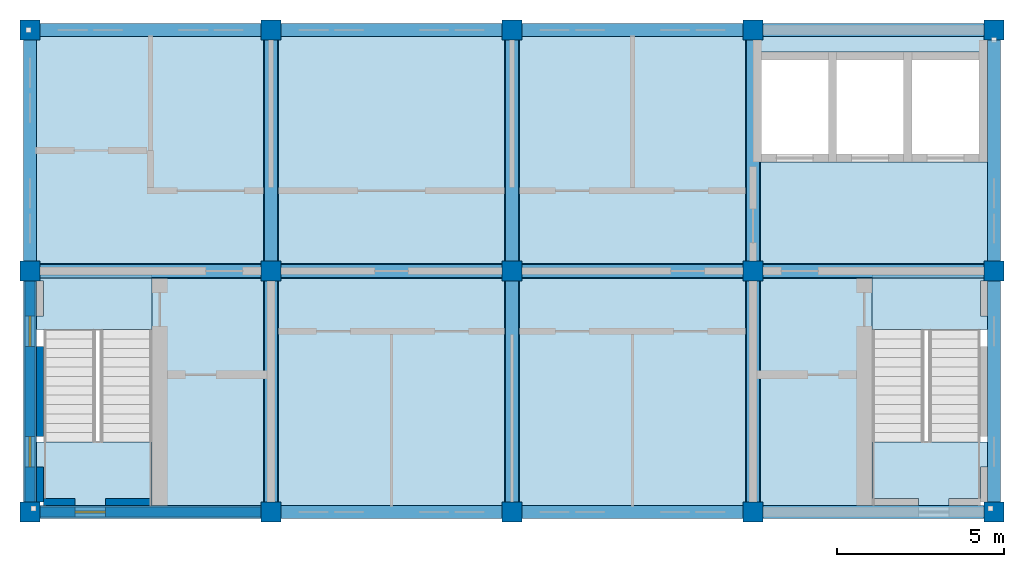
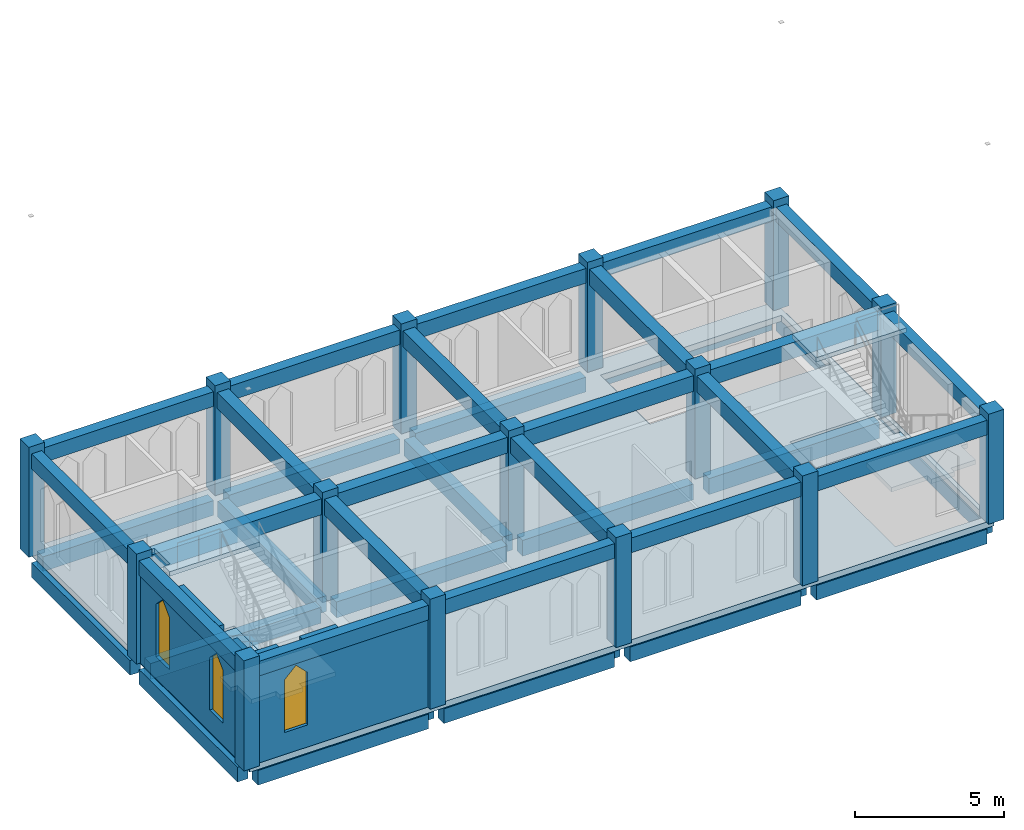
# One storey, part 1 of 6: 44 beams, 15 columns, 7 slabs, 6 walls, 3 windows, 3 openings, 2 elements without a shape of their own.
"""IFC4 building model written with IfcOpenShell, lengths in metres."""

from ifc_helpers import new_model, si_unit, direction, frame, frame_2d, origin, origin_2d, place, context, subcontext, project, spatial, polyline, rectangle, outline, extrude, material, layer, layer_set, material_profile, profile_set, type_object, element, fill, aggregate, save


model = new_model("IFC4")

# Units and contexts
model_context = context("Model", 3, precision=1e-05, world=origin(), true_north=direction((0.0, 1.0)))
body_context = subcontext(model_context, "Body", "Model", "MODEL_VIEW")
ifc_project = project(units=[si_unit("LENGTHUNIT", "METRE"), si_unit("AREAUNIT", "SQUARE_METRE"), si_unit("VOLUMEUNIT", "CUBIC_METRE"), si_unit("PLANEANGLEUNIT", "RADIAN"), si_unit("MASSUNIT", "GRAM", prefix="KILO")], contexts=[model_context])

# Site, building, storey
site_placement = place(None, origin())
site = spatial("IfcSite", under=ifc_project, at=site_placement, CompositionType="ELEMENT")
building_placement = place(site_placement, origin())
building = spatial("IfcBuilding", under=site, at=building_placement, Name="Silangan Lancet Faculty of Sciences", CompositionType="ELEMENT")
storey_placement = place(building_placement, frame((0.0, 0.0, 76.800048828125)))
storey = spatial("IfcBuildingStorey", under=building, at=storey_placement, Name="L16", CompositionType="ELEMENT", Elevation=76.800048828125)

# Columns
ifc_material_1 = material(Name="Concrete C40/50", Category="concrete")
ifc_material_profile_1 = material_profile(ifc_material_1, rectangle(XDim=0.60009765625, YDim=0.60009765625, at=origin_2d()), Name="RC 600x600")
ifc_profile_set_1 = profile_set([ifc_material_profile_1], Name="Concrete C40/50")
column_type = type_object("IfcColumnType", Name="COLUMN RC 600x600", PredefinedType="COLUMN", material=ifc_profile_set_1)
for number, where, z_axis, x_axis, name in (
    (1, (0.0, 0.0, 0.0), (0.0, 0.0, 1.0), (1.0, 0.0, 0.0), "COL-L16-1A"),
    (2, (0.0, 7.199951171875, 0.0), (0.0, 0.0, 1.0), (1.0, 0.0, 0.0), "COL-L16-1B"),
    (3, (0.0, 14.39990234375, 0.0), (0.0, 0.0, 1.0), (1.0, 0.0, 0.0), "COL-L16-1C"),
    (4, (7.199951171875, 0.0, 0.0), (0.0, 0.0, 1.0), (1.0, 0.0, 0.0), "COL-L16-2A"),
    (5, (7.199951171875, 7.199951171875, 0.0), (0.0, 0.0, 1.0), (1.0, 0.0, 0.0), "COL-L16-2B"),
    (6, (7.199951171875, 14.39990234375, 0.0), (0.0, 0.0, 1.0), (1.0, 0.0, 0.0), "COL-L16-2C"),
    (7, (14.39990234375, 0.0, 0.0), (0.0, 0.0, 1.0), (1.0, 0.0, 0.0), "COL-L16-3A"),
    (8, (14.39990234375, 7.199951171875, 0.0), (0.0, 0.0, 1.0), (1.0, 0.0, 0.0), "COL-L16-3B"),
    (9, (14.39990234375, 14.39990234375, 0.0), (0.0, 0.0, 1.0), (1.0, 0.0, 0.0), "COL-L16-3C"),
    (10, (21.60009765625, 0.0, 0.0), (0.0, 0.0, 1.0), (1.0, 0.0, 0.0), "COL-L16-4A"),
    (11, (21.60009765625, 7.199951171875, 0.0), (0.0, 0.0, 1.0), (1.0, 0.0, 0.0), "COL-L16-4B"),
    (12, (21.60009765625, 14.39990234375, 0.0), (0.0, 0.0, 1.0), (1.0, 0.0, 0.0), "COL-L16-4C"),
    (13, (28.800048828125, 0.0, 0.0), (0.0, 0.0, 1.0), (1.0, 0.0, 0.0), "COL-L16-5A"),
    (14, (28.800048828125, 7.199951171875, 0.0), (0.0, 0.0, 1.0), (1.0, 0.0, 0.0), "COL-L16-5B"),
    (15, (28.800048828125, 14.39990234375, 0.0), (0.0, 0.0, 1.0), (1.0, 0.0, 0.0), "COL-L16-5C"),
):
    element("IfcColumn", number, at=place(storey_placement, frame(where, z_axis=z_axis, x_axis=x_axis)), inside=storey, type_object=column_type, Name=name, PredefinedType="COLUMN", context=body_context, shape_type="SweptSolid", body=[
        extrude(rectangle(XDim=0.60009765625, YDim=0.60009765625, at=origin_2d()), origin(), (0.0, 0.0, 1.0), 4.5),
    ])

# Beams
ifc_material_2 = material(Name="Concrete C40/50", Category="concrete")
ifc_material_profile_2 = material_profile(ifc_material_2, rectangle(XDim=0.39990234375, YDim=0.60009765625, at=origin_2d()), Name="RC 400x600")
ifc_profile_set_2 = profile_set([ifc_material_profile_2], Name="Concrete C40/50")
beam_type_1 = type_object("IfcBeamType", Name="BEAM RC 400x600", PredefinedType="BEAM", material=ifc_profile_set_2)
beam_1_placement = place(storey_placement, frame((0.300048828125, 0.0, -0.550048828125), z_axis=(1.0, 0.0, 0.0), x_axis=(0.0, 1.0, 0.0)))
element("IfcBeam", 16, at=beam_1_placement, inside=storey, type_object=beam_type_1, Name="BM-L16-1A-2A", PredefinedType="BEAM", context=body_context, shape_type="SweptSolid", body=[
    extrude(rectangle(XDim=0.39990234375, YDim=0.60009765625, at=origin_2d()), origin(), (0.0, 0.0, 1.0), 6.599853515625),
])
for number, where, z_axis, x_axis, name in (
    (17, (7.5, 0.0, -0.550048828125), (1.0, 0.0, 0.0), (0.0, 1.0, 0.0), "BM-L16-2A-3A"),
    (18, (14.699951171875, 0.0, -0.550048828125), (1.0, 0.0, 0.0), (0.0, 1.0, 0.0), "BM-L16-3A-4A"),
    (19, (21.89990234375, 0.0, -0.550048828125), (1.0, 0.0, 0.0), (0.0, 1.0, 0.0), "BM-L16-4A-5A"),
):
    element("IfcBeam", number, at=place(storey_placement, frame(where, z_axis=z_axis, x_axis=x_axis)), inside=storey, type_object=beam_type_1, Name=name, PredefinedType="BEAM", context=body_context, shape_type="SweptSolid", body=[
        extrude(rectangle(XDim=0.39990234375, YDim=0.60009765625, at=origin_2d()), origin(), (0.0, 0.0, 1.0), 6.60009765625),
    ])
beam_2_placement = place(storey_placement, frame((0.300048828125, 14.39990234375, -0.550048828125), z_axis=(1.0, 0.0, 0.0), x_axis=(0.0, 1.0, 0.0)))
element("IfcBeam", 20, at=beam_2_placement, inside=storey, type_object=beam_type_1, Name="BM-L16-1C-2C", PredefinedType="BEAM", context=body_context, shape_type="SweptSolid", body=[
    extrude(rectangle(XDim=0.39990234375, YDim=0.60009765625, at=origin_2d()), origin(), (0.0, 0.0, 1.0), 6.599853515625),
])
for number, where, z_axis, x_axis, name in (
    (21, (7.5, 14.39990234375, -0.550048828125), (1.0, 0.0, 0.0), (0.0, 1.0, 0.0), "BM-L16-2C-3C"),
    (22, (14.699951171875, 14.39990234375, -0.550048828125), (1.0, 0.0, 0.0), (0.0, 1.0, 0.0), "BM-L16-3C-4C"),
    (23, (21.89990234375, 14.39990234375, -0.550048828125), (1.0, 0.0, 0.0), (0.0, 1.0, 0.0), "BM-L16-4C-5C"),
):
    element("IfcBeam", number, at=place(storey_placement, frame(where, z_axis=z_axis, x_axis=x_axis)), inside=storey, type_object=beam_type_1, Name=name, PredefinedType="BEAM", context=body_context, shape_type="SweptSolid", body=[
        extrude(rectangle(XDim=0.39990234375, YDim=0.60009765625, at=origin_2d()), origin(), (0.0, 0.0, 1.0), 6.60009765625),
    ])
beam_3_placement = place(storey_placement, frame((0.0, 0.300048828125, -0.550048828125), z_axis=(0.0, 1.0, 0.0), x_axis=(-1.0, 0.0, 0.0)))
element("IfcBeam", 24, at=beam_3_placement, inside=storey, type_object=beam_type_1, Name="BM-L16-1A-1B", PredefinedType="BEAM", context=body_context, shape_type="SweptSolid", body=[
    extrude(rectangle(XDim=0.39990234375, YDim=0.60009765625, at=origin_2d()), origin(), (0.0, 0.0, 1.0), 6.599853515625),
])
beam_4_placement = place(storey_placement, frame((0.0, 7.5, -0.550048828125), z_axis=(0.0, 1.0, 0.0), x_axis=(-1.0, 0.0, 0.0)))
element("IfcBeam", 25, at=beam_4_placement, inside=storey, type_object=beam_type_1, Name="BM-L16-1B-1C", PredefinedType="BEAM", context=body_context, shape_type="SweptSolid", body=[
    extrude(rectangle(XDim=0.39990234375, YDim=0.60009765625, at=origin_2d()), origin(), (0.0, 0.0, 1.0), 6.60009765625),
])
beam_5_placement = place(storey_placement, frame((28.800048828125, 0.300048828125, -0.550048828125), z_axis=(0.0, 1.0, 0.0), x_axis=(-1.0, 0.0, 0.0)))
element("IfcBeam", 26, at=beam_5_placement, inside=storey, type_object=beam_type_1, Name="BM-L16-5A-5B", PredefinedType="BEAM", context=body_context, shape_type="SweptSolid", body=[
    extrude(rectangle(XDim=0.39990234375, YDim=0.60009765625, at=origin_2d()), origin(), (0.0, 0.0, 1.0), 6.599853515625),
])
beam_6_placement = place(storey_placement, frame((28.800048828125, 7.5, -0.550048828125), z_axis=(0.0, 1.0, 0.0), x_axis=(-1.0, 0.0, 0.0)))
element("IfcBeam", 27, at=beam_6_placement, inside=storey, type_object=beam_type_1, Name="BM-L16-5B-5C", PredefinedType="BEAM", context=body_context, shape_type="SweptSolid", body=[
    extrude(rectangle(XDim=0.39990234375, YDim=0.60009765625, at=origin_2d()), origin(), (0.0, 0.0, 1.0), 6.60009765625),
])
beam_7_placement = place(storey_placement, frame((0.300048828125, 0.0, 3.89990234375), z_axis=(1.0, 0.0, 0.0), x_axis=(0.0, 1.0, 0.0)))
element("IfcBeam", 28, at=beam_7_placement, inside=storey, type_object=beam_type_1, Name="RB-L16-1A-2A", PredefinedType="BEAM", context=body_context, shape_type="SweptSolid", body=[
    extrude(rectangle(XDim=0.39990234375, YDim=0.60009765625, at=origin_2d()), origin(), (0.0, 0.0, 1.0), 6.599853515625),
])
for number, where, z_axis, x_axis, name in (
    (29, (7.5, 0.0, 3.89990234375), (1.0, 0.0, 0.0), (0.0, 1.0, 0.0), "RB-L16-2A-3A"),
    (30, (14.699951171875, 0.0, 3.89990234375), (1.0, 0.0, 0.0), (0.0, 1.0, 0.0), "RB-L16-3A-4A"),
    (31, (21.89990234375, 0.0, 3.89990234375), (1.0, 0.0, 0.0), (0.0, 1.0, 0.0), "RB-L16-4A-5A"),
):
    element("IfcBeam", number, at=place(storey_placement, frame(where, z_axis=z_axis, x_axis=x_axis)), inside=storey, type_object=beam_type_1, Name=name, PredefinedType="BEAM", context=body_context, shape_type="SweptSolid", body=[
        extrude(rectangle(XDim=0.39990234375, YDim=0.60009765625, at=origin_2d()), origin(), (0.0, 0.0, 1.0), 6.60009765625),
    ])
beam_8_placement = place(storey_placement, frame((0.300048828125, 14.39990234375, 3.89990234375), z_axis=(1.0, 0.0, 0.0), x_axis=(0.0, 1.0, 0.0)))
element("IfcBeam", 32, at=beam_8_placement, inside=storey, type_object=beam_type_1, Name="RB-L16-1C-2C", PredefinedType="BEAM", context=body_context, shape_type="SweptSolid", body=[
    extrude(rectangle(XDim=0.39990234375, YDim=0.60009765625, at=origin_2d()), origin(), (0.0, 0.0, 1.0), 6.599853515625),
])
for number, where, z_axis, x_axis, name in (
    (33, (7.5, 14.39990234375, 3.89990234375), (1.0, 0.0, 0.0), (0.0, 1.0, 0.0), "RB-L16-2C-3C"),
    (34, (14.699951171875, 14.39990234375, 3.89990234375), (1.0, 0.0, 0.0), (0.0, 1.0, 0.0), "RB-L16-3C-4C"),
    (35, (21.89990234375, 14.39990234375, 3.89990234375), (1.0, 0.0, 0.0), (0.0, 1.0, 0.0), "RB-L16-4C-5C"),
):
    element("IfcBeam", number, at=place(storey_placement, frame(where, z_axis=z_axis, x_axis=x_axis)), inside=storey, type_object=beam_type_1, Name=name, PredefinedType="BEAM", context=body_context, shape_type="SweptSolid", body=[
        extrude(rectangle(XDim=0.39990234375, YDim=0.60009765625, at=origin_2d()), origin(), (0.0, 0.0, 1.0), 6.60009765625),
    ])
beam_9_placement = place(storey_placement, frame((0.0, 0.300048828125, 3.89990234375), z_axis=(0.0, 1.0, 0.0), x_axis=(-1.0, 0.0, 0.0)))
element("IfcBeam", 36, at=beam_9_placement, inside=storey, type_object=beam_type_1, Name="RB-L16-1A-1B", PredefinedType="BEAM", context=body_context, shape_type="SweptSolid", body=[
    extrude(rectangle(XDim=0.39990234375, YDim=0.60009765625, at=origin_2d()), origin(), (0.0, 0.0, 1.0), 6.599853515625),
])
beam_10_placement = place(storey_placement, frame((0.0, 7.5, 3.89990234375), z_axis=(0.0, 1.0, 0.0), x_axis=(-1.0, 0.0, 0.0)))
element("IfcBeam", 37, at=beam_10_placement, inside=storey, type_object=beam_type_1, Name="RB-L16-1B-1C", PredefinedType="BEAM", context=body_context, shape_type="SweptSolid", body=[
    extrude(rectangle(XDim=0.39990234375, YDim=0.60009765625, at=origin_2d()), origin(), (0.0, 0.0, 1.0), 6.60009765625),
])
beam_11_placement = place(storey_placement, frame((28.800048828125, 0.300048828125, 3.89990234375), z_axis=(0.0, 1.0, 0.0), x_axis=(-1.0, 0.0, 0.0)))
element("IfcBeam", 38, at=beam_11_placement, inside=storey, type_object=beam_type_1, Name="RB-L16-5A-5B", PredefinedType="BEAM", context=body_context, shape_type="SweptSolid", body=[
    extrude(rectangle(XDim=0.39990234375, YDim=0.60009765625, at=origin_2d()), origin(), (0.0, 0.0, 1.0), 6.599853515625),
])
beam_12_placement = place(storey_placement, frame((28.800048828125, 7.5, 3.89990234375), z_axis=(0.0, 1.0, 0.0), x_axis=(-1.0, 0.0, 0.0)))
element("IfcBeam", 39, at=beam_12_placement, inside=storey, type_object=beam_type_1, Name="RB-L16-5B-5C", PredefinedType="BEAM", context=body_context, shape_type="SweptSolid", body=[
    extrude(rectangle(XDim=0.39990234375, YDim=0.60009765625, at=origin_2d()), origin(), (0.0, 0.0, 1.0), 6.60009765625),
])
ifc_material_3 = material(Name="Concrete C40/50", Category="concrete")
ifc_material_profile_3 = material_profile(ifc_material_3, rectangle(XDim=0.39990234375, YDim=0.64990234375, at=origin_2d()), Name="RC 400x650")
ifc_profile_set_3 = profile_set([ifc_material_profile_3], Name="Concrete C40/50")
beam_type_2 = type_object("IfcBeamType", Name="BEAM RC 400x650", PredefinedType="BEAM", material=ifc_profile_set_3)
beam_13_placement = place(storey_placement, frame((0.300048828125, 7.199951171875, -0.574951171875), z_axis=(1.0, 0.0, 0.0), x_axis=(0.0, 1.0, 0.0)))
element("IfcBeam", 40, at=beam_13_placement, inside=storey, type_object=beam_type_2, Name="BM-L16-1B-2B", PredefinedType="BEAM", context=body_context, shape_type="SweptSolid", body=[
    extrude(rectangle(XDim=0.39990234375, YDim=0.64990234375, at=origin_2d()), origin(), (0.0, 0.0, 1.0), 6.599853515625),
])
for number, where, z_axis, x_axis, name in (
    (41, (7.5, 7.199951171875, -0.574951171875), (1.0, 0.0, 0.0), (0.0, 1.0, 0.0), "BM-L16-2B-3B"),
    (42, (14.699951171875, 7.199951171875, -0.574951171875), (1.0, 0.0, 0.0), (0.0, 1.0, 0.0), "BM-L16-3B-4B"),
    (43, (21.89990234375, 7.199951171875, -0.574951171875), (1.0, 0.0, 0.0), (0.0, 1.0, 0.0), "BM-L16-4B-5B"),
):
    element("IfcBeam", number, at=place(storey_placement, frame(where, z_axis=z_axis, x_axis=x_axis)), inside=storey, type_object=beam_type_2, Name=name, PredefinedType="BEAM", context=body_context, shape_type="SweptSolid", body=[
        extrude(rectangle(XDim=0.39990234375, YDim=0.64990234375, at=origin_2d()), origin(), (0.0, 0.0, 1.0), 6.60009765625),
    ])
beam_14_placement = place(storey_placement, frame((7.199951171875, 0.300048828125, -0.574951171875), z_axis=(0.0, 1.0, 0.0), x_axis=(-1.0, 0.0, 0.0)))
element("IfcBeam", 44, at=beam_14_placement, inside=storey, type_object=beam_type_2, Name="BM-L16-2A-2B", PredefinedType="BEAM", context=body_context, shape_type="SweptSolid", body=[
    extrude(rectangle(XDim=0.39990234375, YDim=0.64990234375, at=origin_2d()), origin(), (0.0, 0.0, 1.0), 6.599853515625),
])
beam_15_placement = place(storey_placement, frame((7.199951171875, 7.5, -0.574951171875), z_axis=(0.0, 1.0, 0.0), x_axis=(-1.0, 0.0, 0.0)))
element("IfcBeam", 45, at=beam_15_placement, inside=storey, type_object=beam_type_2, Name="BM-L16-2B-2C", PredefinedType="BEAM", context=body_context, shape_type="SweptSolid", body=[
    extrude(rectangle(XDim=0.39990234375, YDim=0.64990234375, at=origin_2d()), origin(), (0.0, 0.0, 1.0), 6.60009765625),
])
beam_16_placement = place(storey_placement, frame((14.39990234375, 0.300048828125, -0.574951171875), z_axis=(0.0, 1.0, 0.0), x_axis=(-1.0, 0.0, 0.0)))
element("IfcBeam", 46, at=beam_16_placement, inside=storey, type_object=beam_type_2, Name="BM-L16-3A-3B", PredefinedType="BEAM", context=body_context, shape_type="SweptSolid", body=[
    extrude(rectangle(XDim=0.39990234375, YDim=0.64990234375, at=origin_2d()), origin(), (0.0, 0.0, 1.0), 6.599853515625),
])
beam_17_placement = place(storey_placement, frame((14.39990234375, 7.5, -0.574951171875), z_axis=(0.0, 1.0, 0.0), x_axis=(-1.0, 0.0, 0.0)))
element("IfcBeam", 47, at=beam_17_placement, inside=storey, type_object=beam_type_2, Name="BM-L16-3B-3C", PredefinedType="BEAM", context=body_context, shape_type="SweptSolid", body=[
    extrude(rectangle(XDim=0.39990234375, YDim=0.64990234375, at=origin_2d()), origin(), (0.0, 0.0, 1.0), 6.60009765625),
])
beam_18_placement = place(storey_placement, frame((21.60009765625, 0.300048828125, -0.574951171875), z_axis=(0.0, 1.0, 0.0), x_axis=(-1.0, 0.0, 0.0)))
element("IfcBeam", 48, at=beam_18_placement, inside=storey, type_object=beam_type_2, Name="BM-L16-4A-4B", PredefinedType="BEAM", context=body_context, shape_type="SweptSolid", body=[
    extrude(rectangle(XDim=0.39990234375, YDim=0.64990234375, at=origin_2d()), origin(), (0.0, 0.0, 1.0), 6.599853515625),
])
beam_19_placement = place(storey_placement, frame((21.60009765625, 7.5, -0.574951171875), z_axis=(0.0, 1.0, 0.0), x_axis=(-1.0, 0.0, 0.0)))
element("IfcBeam", 49, at=beam_19_placement, inside=storey, type_object=beam_type_2, Name="BM-L16-4B-4C", PredefinedType="BEAM", context=body_context, shape_type="SweptSolid", body=[
    extrude(rectangle(XDim=0.39990234375, YDim=0.64990234375, at=origin_2d()), origin(), (0.0, 0.0, 1.0), 6.60009765625),
])
ifc_material_4 = material(Name="Concrete C40/50", Category="concrete")
ifc_material_profile_4 = material_profile(ifc_material_4, rectangle(XDim=0.449951171875, YDim=0.64990234375, at=origin_2d()), Name="RC 450x650")
ifc_profile_set_4 = profile_set([ifc_material_profile_4], Name="Concrete C40/50")
beam_type_3 = type_object("IfcBeamType", Name="BEAM RC 450x650", PredefinedType="BEAM", material=ifc_profile_set_4)
beam_20_placement = place(storey_placement, frame((0.300048828125, 7.199951171875, 3.875), z_axis=(1.0, 0.0, 0.0), x_axis=(0.0, 1.0, 0.0)))
element("IfcBeam", 50, at=beam_20_placement, inside=storey, type_object=beam_type_3, Name="RB-L16-1B-2B", PredefinedType="BEAM", context=body_context, shape_type="SweptSolid", body=[
    extrude(rectangle(XDim=0.449951171875, YDim=0.64990234375, at=origin_2d()), origin(), (0.0, 0.0, 1.0), 6.599853515625),
])
for number, where, z_axis, x_axis, name in (
    (51, (7.5, 7.199951171875, 3.875), (1.0, 0.0, 0.0), (0.0, 1.0, 0.0), "RB-L16-2B-3B"),
    (52, (14.699951171875, 7.199951171875, 3.875), (1.0, 0.0, 0.0), (0.0, 1.0, 0.0), "RB-L16-3B-4B"),
    (53, (21.89990234375, 7.199951171875, 3.875), (1.0, 0.0, 0.0), (0.0, 1.0, 0.0), "RB-L16-4B-5B"),
):
    element("IfcBeam", number, at=place(storey_placement, frame(where, z_axis=z_axis, x_axis=x_axis)), inside=storey, type_object=beam_type_3, Name=name, PredefinedType="BEAM", context=body_context, shape_type="SweptSolid", body=[
        extrude(rectangle(XDim=0.449951171875, YDim=0.64990234375, at=origin_2d()), origin(), (0.0, 0.0, 1.0), 6.60009765625),
    ])
beam_21_placement = place(storey_placement, frame((7.199951171875, 0.300048828125, 3.875), z_axis=(0.0, 1.0, 0.0), x_axis=(-1.0, 0.0, 0.0)))
element("IfcBeam", 54, at=beam_21_placement, inside=storey, type_object=beam_type_3, Name="RB-L16-2A-2B", PredefinedType="BEAM", context=body_context, shape_type="SweptSolid", body=[
    extrude(rectangle(XDim=0.449951171875, YDim=0.64990234375, at=origin_2d()), origin(), (0.0, 0.0, 1.0), 6.599853515625),
])
beam_22_placement = place(storey_placement, frame((7.199951171875, 7.5, 3.875), z_axis=(0.0, 1.0, 0.0), x_axis=(-1.0, 0.0, 0.0)))
element("IfcBeam", 55, at=beam_22_placement, inside=storey, type_object=beam_type_3, Name="RB-L16-2B-2C", PredefinedType="BEAM", context=body_context, shape_type="SweptSolid", body=[
    extrude(rectangle(XDim=0.449951171875, YDim=0.64990234375, at=origin_2d()), origin(), (0.0, 0.0, 1.0), 6.60009765625),
])
beam_23_placement = place(storey_placement, frame((14.39990234375, 0.300048828125, 3.875), z_axis=(0.0, 1.0, 0.0), x_axis=(-1.0, 0.0, 0.0)))
element("IfcBeam", 56, at=beam_23_placement, inside=storey, type_object=beam_type_3, Name="RB-L16-3A-3B", PredefinedType="BEAM", context=body_context, shape_type="SweptSolid", body=[
    extrude(rectangle(XDim=0.449951171875, YDim=0.64990234375, at=origin_2d()), origin(), (0.0, 0.0, 1.0), 6.599853515625),
])
beam_24_placement = place(storey_placement, frame((14.39990234375, 7.5, 3.875), z_axis=(0.0, 1.0, 0.0), x_axis=(-1.0, 0.0, 0.0)))
element("IfcBeam", 57, at=beam_24_placement, inside=storey, type_object=beam_type_3, Name="RB-L16-3B-3C", PredefinedType="BEAM", context=body_context, shape_type="SweptSolid", body=[
    extrude(rectangle(XDim=0.449951171875, YDim=0.64990234375, at=origin_2d()), origin(), (0.0, 0.0, 1.0), 6.60009765625),
])
beam_25_placement = place(storey_placement, frame((21.60009765625, 0.300048828125, 3.875), z_axis=(0.0, 1.0, 0.0), x_axis=(-1.0, 0.0, 0.0)))
element("IfcBeam", 58, at=beam_25_placement, inside=storey, type_object=beam_type_3, Name="RB-L16-4A-4B", PredefinedType="BEAM", context=body_context, shape_type="SweptSolid", body=[
    extrude(rectangle(XDim=0.449951171875, YDim=0.64990234375, at=origin_2d()), origin(), (0.0, 0.0, 1.0), 6.599853515625),
])
beam_26_placement = place(storey_placement, frame((21.60009765625, 7.5, 3.875), z_axis=(0.0, 1.0, 0.0), x_axis=(-1.0, 0.0, 0.0)))
element("IfcBeam", 59, at=beam_26_placement, inside=storey, type_object=beam_type_3, Name="RB-L16-4B-4C", PredefinedType="BEAM", context=body_context, shape_type="SweptSolid", body=[
    extrude(rectangle(XDim=0.449951171875, YDim=0.64990234375, at=origin_2d()), origin(), (0.0, 0.0, 1.0), 6.60009765625),
])

# Slab
ifc_material_5 = material(Name="Concrete C35/45", Category="concrete")
ifc_layer_1 = layer(ifc_material_5, 0.25)
ifc_layer_set_1 = layer_set([ifc_layer_1], Name="Concrete C35/45")
slab_type_1 = type_object("IfcSlabType", Name="SLAB FLOOR 250", PredefinedType="FLOOR", material=ifc_layer_set_1)
slab_1_placement = place(storey_placement, frame((0.0, 0.0, -0.25)))
element("IfcSlab", 60, at=slab_1_placement, inside=storey, type_object=slab_type_1, Name="SLAB-L16-ST", PredefinedType="FLOOR", context=body_context, shape_type="SweptSolid", body=[
    extrude(outline(polyline([(0.0, 14.550048828125), (0.0, -0.14990234375), (28.800048828125, -0.14990234375), (28.800048828125, 14.550048828125), (0.0, 14.550048828125)]), holes=[polyline([(0.14990234375, 0.14990234375), (0.14990234375, 7.199951171875), (3.64990234375, 7.199951171875), (3.64990234375, 0.14990234375), (0.14990234375, 0.14990234375)]), polyline([(25.14990234375, 7.199951171875), (28.64990234375, 7.199951171875), (28.64990234375, 0.14990234375), (25.14990234375, 0.14990234375), (25.14990234375, 7.199951171875)]), polyline([(21.60009765625, 13.75), (28.60009765625, 13.75), (28.60009765625, 10.449951171875), (21.60009765625, 10.449951171875), (21.60009765625, 13.75)])]), origin(), (0.0, 0.0, 1.0), 0.25),
])

# Stair, slabs
ifc_material_6 = material(Name="Concrete C40/50", Category="concrete")
stair_type = type_object("IfcStairType", Name="TURRET STAIR 1550 TWO-FLIGHT", PredefinedType="HALF_TURN_STAIR", material=ifc_material_6)
stair_1_placement = place(storey_placement, origin())
stair_1 = element("IfcStair", 61, at=stair_1_placement, inside=storey, type_object=stair_type, Name="ST-A stair L16", PredefinedType="HALF_TURN_STAIR")
ifc_material_7 = material(Name="Concrete C40/50", Category="concrete")
ifc_layer_2 = layer(ifc_material_7, 0.179931640625)
ifc_layer_set_2 = layer_set([ifc_layer_2], Name="Concrete C40/50")
slab_type_2 = type_object("IfcSlabType", Name="TURRET STAIR LANDING RC 180", PredefinedType="LANDING", material=ifc_layer_set_2)
slab_2_placement = place(storey_placement, frame((0.0, 0.0, -0.179931640625)))
slab_2 = element("IfcSlab", 62, at=slab_2_placement, type_object=slab_type_2, Name="STR1 landing 1", PredefinedType="LANDING", context=body_context, shape_type="SweptSolid", body=[
    extrude(outline(polyline([(0.39990234375, 6.89990234375), (0.300048828125, 6.89990234375), (0.300048828125, 7.074951171875), (3.64990234375, 7.074951171875), (3.64990234375, 5.449951171875), (0.14990234375, 5.449951171875), (0.14990234375, 5.85009765625), (0.39990234375, 5.85009765625), (0.39990234375, 6.89990234375)])), origin(), (0.0, 0.0, 1.0), 0.179931640625),
])
slab_3_placement = place(storey_placement, frame((0.0, 0.0, 2.070068359375)))
slab_3 = element("IfcSlab", 63, at=slab_3_placement, type_object=slab_type_2, Name="STR1 landing 2", PredefinedType="LANDING", context=body_context, shape_type="SweptSolid", body=[
    extrude(outline(polyline([(0.14990234375, 1.35009765625), (0.14990234375, 2.090087890625), (3.64990234375, 2.090087890625), (3.64990234375, 0.39990234375), (2.25, 0.39990234375), (2.25, 0.14990234375), (1.35009765625, 0.14990234375), (1.35009765625, 0.39990234375), (0.39990234375, 0.39990234375), (0.39990234375, 1.35009765625), (0.14990234375, 1.35009765625)])), origin(), (0.0, 0.0, 1.0), 0.179931640625),
])
slab_4_placement = place(storey_placement, frame((0.0, 0.0, 4.320068359375)))
slab_4 = element("IfcSlab", 64, at=slab_4_placement, type_object=slab_type_2, Name="STR1 landing 3", PredefinedType="LANDING", context=body_context, shape_type="SweptSolid", body=[
    extrude(outline(polyline([(0.39990234375, 6.89990234375), (0.300048828125, 6.89990234375), (0.300048828125, 7.074951171875), (3.64990234375, 7.074951171875), (3.64990234375, 5.449951171875), (0.14990234375, 5.449951171875), (0.14990234375, 5.85009765625), (0.39990234375, 5.85009765625), (0.39990234375, 6.89990234375)])), origin(), (0.0, 0.0, 1.0), 0.179931640625),
])
aggregate(stair_1, [slab_2, slab_3, slab_4])

stair_2_placement = place(storey_placement, origin())
stair_2 = element("IfcStair", 65, at=stair_2_placement, inside=storey, type_object=stair_type, Name="ST-B stair L16", PredefinedType="HALF_TURN_STAIR")
slab_5_placement = place(storey_placement, frame((0.0, 0.0, -0.179931640625)))
slab_5 = element("IfcSlab", 66, at=slab_5_placement, type_object=slab_type_2, Name="STR2 landing 1", PredefinedType="LANDING", context=body_context, shape_type="SweptSolid", body=[
    extrude(outline(polyline([(28.39990234375, 5.85009765625), (28.64990234375, 5.85009765625), (28.64990234375, 5.449951171875), (25.14990234375, 5.449951171875), (25.14990234375, 7.074951171875), (28.5, 7.074951171875), (28.5, 6.89990234375), (28.39990234375, 6.89990234375), (28.39990234375, 5.85009765625)])), origin(), (0.0, 0.0, 1.0), 0.179931640625),
])
slab_6_placement = place(storey_placement, frame((0.0, 0.0, 2.070068359375)))
slab_6 = element("IfcSlab", 67, at=slab_6_placement, type_object=slab_type_2, Name="STR2 landing 2", PredefinedType="LANDING", context=body_context, shape_type="SweptSolid", body=[
    extrude(outline(polyline([(26.550048828125, 0.14990234375), (26.550048828125, 0.39990234375), (25.14990234375, 0.39990234375), (25.14990234375, 2.090087890625), (28.64990234375, 2.090087890625), (28.64990234375, 1.35009765625), (28.39990234375, 1.35009765625), (28.39990234375, 0.39990234375), (27.449951171875, 0.39990234375), (27.449951171875, 0.14990234375), (26.550048828125, 0.14990234375)])), origin(), (0.0, 0.0, 1.0), 0.179931640625),
])
slab_7_placement = place(storey_placement, frame((0.0, 0.0, 4.320068359375)))
slab_7 = element("IfcSlab", 68, at=slab_7_placement, type_object=slab_type_2, Name="STR2 landing 3", PredefinedType="LANDING", context=body_context, shape_type="SweptSolid", body=[
    extrude(outline(polyline([(28.39990234375, 5.85009765625), (28.64990234375, 5.85009765625), (28.64990234375, 5.449951171875), (25.14990234375, 5.449951171875), (25.14990234375, 7.074951171875), (28.5, 7.074951171875), (28.5, 6.89990234375), (28.39990234375, 6.89990234375), (28.39990234375, 5.85009765625)])), origin(), (0.0, 0.0, 1.0), 0.179931640625),
])
aggregate(stair_2, [slab_5, slab_6, slab_7])

# Wall, openings, windows
ifc_material_8 = material(Name="Concrete C40/50 precast", Category="concrete")
ifc_layer_3 = layer(ifc_material_8, 0.300048828125)
ifc_layer_set_3 = layer_set([ifc_layer_3], Name="Concrete C40/50 precast")
wall_type_1 = type_object("IfcWallType", Name="EW2 Turret enclosure wall", PredefinedType="STANDARD", material=ifc_layer_set_3)
wall_1_placement = place(storey_placement, frame((0.0, 0.300048828125, 0.0), z_axis=(0.0, 0.0, 1.0), x_axis=(0.0, 1.0, 0.0)))
wall_1 = element("IfcWall", 69, at=wall_1_placement, inside=storey, type_object=wall_type_1, Name="EW-L16-W-ST-U-00", PredefinedType="STANDARD", context=body_context, shape_type="SweptSolid", body=[
    extrude(rectangle(XDim=6.599853515625, YDim=0.300048828125, at=frame_2d((3.2998046875, 0.0))), origin(), (0.0, 0.0, 1.0), 3.599853515625),
])
opening_1_placement = place(wall_1_placement, frame((1.050048828125, 0.0, 0.89990234375)))
opening_1 = element("IfcOpeningElement", 70, at=opening_1_placement, cuts=wall_1, Name="Opening W25", PredefinedType="OPENING", context=body_context, shape_type="SweptSolid", body=[
    extrude(outline(polyline([(0.0, 0.0), (0.89990234375, 0.0), (0.89990234375, 2.150146484375), (0.449951171875, 2.60009765625), (0.0, 2.150146484375), (0.0, 0.0)])), frame((0.0, 0.159912109375, 0.0), z_axis=(0.0, -1.0, 0.0), x_axis=(1.0, 0.0, 0.0)), (0.0, 0.0, 1.0), 0.320068359375),
])
opening_2_placement = place(wall_1_placement, frame((4.64990234375, 0.0, 0.89990234375)))
opening_2 = element("IfcOpeningElement", 71, at=opening_2_placement, cuts=wall_1, Name="Opening W25", PredefinedType="OPENING", context=body_context, shape_type="SweptSolid", body=[
    extrude(outline(polyline([(0.0, 0.0), (0.89990234375, 0.0), (0.89990234375, 2.150146484375), (0.449951171875, 2.60009765625), (0.0, 2.150146484375), (0.0, 0.0)])), frame((0.0, 0.159912109375, 0.0), z_axis=(0.0, -1.0, 0.0), x_axis=(1.0, 0.0, 0.0)), (0.0, 0.0, 1.0), 0.320068359375),
])
ifc_material_9 = material(Name="Aluminium frame, laminated double glazing", Category="aluminium")
window_type = type_object("IfcWindowType", Name="W25 Lancet window 900 x 2600", PartitioningType="SINGLE_PANEL", PredefinedType="WINDOW", material=ifc_material_9)
window_1_placement = place(opening_1_placement, origin())
window_1 = element("IfcWindow", 72, at=window_1_placement, inside=storey, type_object=window_type, Name="WIN-L16-W-ST-U-00a", OverallHeight=2.60009765625, OverallWidth=0.89990234375, PartitioningType="SINGLE_PANEL", PredefinedType="WINDOW", context=body_context, shape_type="SweptSolid", body=[
    extrude(outline(polyline([(0.0, 0.0), (0.89990234375, 0.0), (0.89990234375, 2.150146484375), (0.449951171875, 2.60009765625), (0.0, 2.150146484375), (0.0, 0.0)])), frame((0.0, 0.030029296875, 0.0), z_axis=(0.0, -1.0, 0.0), x_axis=(1.0, 0.0, 0.0)), (0.0, 0.0, 1.0), 0.06005859375),
])
fill(opening_1, window_1)
window_2_placement = place(opening_2_placement, origin())
window_2 = element("IfcWindow", 73, at=window_2_placement, inside=storey, type_object=window_type, Name="WIN-L16-W-ST-U-00b", OverallHeight=2.60009765625, OverallWidth=0.89990234375, PartitioningType="SINGLE_PANEL", PredefinedType="WINDOW", context=body_context, shape_type="SweptSolid", body=[
    extrude(outline(polyline([(0.0, 0.0), (0.89990234375, 0.0), (0.89990234375, 2.150146484375), (0.449951171875, 2.60009765625), (0.0, 2.150146484375), (0.0, 0.0)])), frame((0.0, 0.030029296875, 0.0), z_axis=(0.0, -1.0, 0.0), x_axis=(1.0, 0.0, 0.0)), (0.0, 0.0, 1.0), 0.06005859375),
])
fill(opening_2, window_2)

# Wall, opening, window
wall_2_placement = place(storey_placement, frame((0.300048828125, 0.0, 0.0), z_axis=(0.0, 0.0, 1.0), x_axis=(1.0, 0.0, 0.0)))
wall_2 = element("IfcWall", 74, at=wall_2_placement, inside=storey, type_object=wall_type_1, Name="EW-L16-S-ST-00", PredefinedType="STANDARD", context=body_context, shape_type="SweptSolid", body=[
    extrude(rectangle(XDim=6.599853515625, YDim=0.300048828125, at=frame_2d((3.2998046875, 0.0))), origin(), (0.0, 0.0, 1.0), 3.599853515625),
])
opening_3_placement = place(wall_2_placement, frame((1.050048828125, 0.0, 0.89990234375)))
opening_3 = element("IfcOpeningElement", 75, at=opening_3_placement, cuts=wall_2, Name="Opening W25", PredefinedType="OPENING", context=body_context, shape_type="SweptSolid", body=[
    extrude(outline(polyline([(0.0, 0.0), (0.89990234375, 0.0), (0.89990234375, 2.150146484375), (0.449951171875, 2.60009765625), (0.0, 2.150146484375), (0.0, 0.0)])), frame((0.0, 0.159912109375, 0.0), z_axis=(0.0, -1.0, 0.0), x_axis=(1.0, 0.0, 0.0)), (0.0, 0.0, 1.0), 0.320068359375),
])
window_3_placement = place(opening_3_placement, origin())
window_3 = element("IfcWindow", 76, at=window_3_placement, inside=storey, type_object=window_type, Name="WIN-L16-S-ST-00a", OverallHeight=2.60009765625, OverallWidth=0.89990234375, PartitioningType="SINGLE_PANEL", PredefinedType="WINDOW", context=body_context, shape_type="SweptSolid", body=[
    extrude(outline(polyline([(0.0, 0.0), (0.89990234375, 0.0), (0.89990234375, 2.150146484375), (0.449951171875, 2.60009765625), (0.0, 2.150146484375), (0.0, 0.0)])), frame((0.0, 0.030029296875, 0.0), z_axis=(0.0, -1.0, 0.0), x_axis=(1.0, 0.0, 0.0)), (0.0, 0.0, 1.0), 0.06005859375),
])
fill(opening_3, window_3)

# Walls
ifc_material_10 = material(Name="Concrete C40/50", Category="concrete")
ifc_layer_4 = layer(ifc_material_10, 0.199951171875)
ifc_layer_set_4 = layer_set([ifc_layer_4], Name="Concrete C40/50")
wall_type_2 = type_object("IfcWallType", Name="TURRET LINING WALL RC 200", PredefinedType="SHEAR", material=ifc_layer_set_4)
wall_3_placement = place(storey_placement, frame((0.300048828125, 0.300048828125, -0.25), z_axis=(0.0, 0.0, 1.0), x_axis=(0.0, 1.0, 0.0)))
element("IfcWall", 77, at=wall_3_placement, inside=storey, type_object=wall_type_2, Name="WALL-L16-ST-A-WL", PredefinedType="SHEAR", context=body_context, shape_type="SweptSolid", body=[
    extrude(rectangle(XDim=1.050048828125, YDim=0.199951171875, at=frame_2d((0.52490234375, 0.0))), origin(), (0.0, 0.0, 1.0), 4.449951171875),
])
wall_4_placement = place(storey_placement, frame((0.300048828125, 2.25, -0.25), z_axis=(0.0, 0.0, 1.0), x_axis=(0.0, 1.0, 0.0)))
element("IfcWall", 78, at=wall_4_placement, inside=storey, type_object=wall_type_2, Name="WALL-L16-ST-A-WL-2", PredefinedType="SHEAR", context=body_context, shape_type="SweptSolid", body=[
    extrude(rectangle(XDim=2.699951171875, YDim=0.199951171875, at=frame_2d((1.35009765625, 0.0))), origin(), (0.0, 0.0, 1.0), 4.449951171875),
])
wall_5_placement = place(storey_placement, frame((0.39990234375, 0.300048828125, -0.25), z_axis=(0.0, 0.0, 1.0), x_axis=(1.0, 0.0, 0.0)))
element("IfcWall", 79, at=wall_5_placement, inside=storey, type_object=wall_type_2, Name="WALL-L16-ST-A-WLD", PredefinedType="SHEAR", context=body_context, shape_type="SweptSolid", body=[
    extrude(rectangle(XDim=0.9501953125, YDim=0.199951171875, at=frame_2d((0.47509765625, 0.0))), origin(), (0.0, 0.0, 1.0), 4.449951171875),
])
wall_6_placement = place(storey_placement, frame((2.25, 0.300048828125, -0.25), z_axis=(0.0, 0.0, 1.0), x_axis=(1.0, 0.0, 0.0)))
element("IfcWall", 80, at=wall_6_placement, inside=storey, type_object=wall_type_2, Name="WALL-L16-ST-A-WLD-2", PredefinedType="SHEAR", context=body_context, shape_type="SweptSolid", body=[
    extrude(rectangle(XDim=1.39990234375, YDim=0.199951171875, at=frame_2d((0.699951171875, 0.0))), origin(), (0.0, 0.0, 1.0), 4.449951171875),
])

save(model, "model.ifc")
